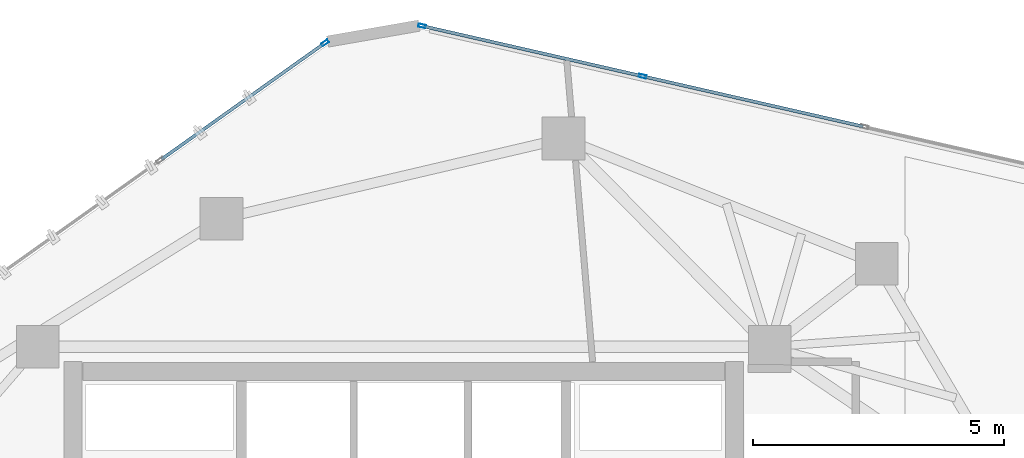
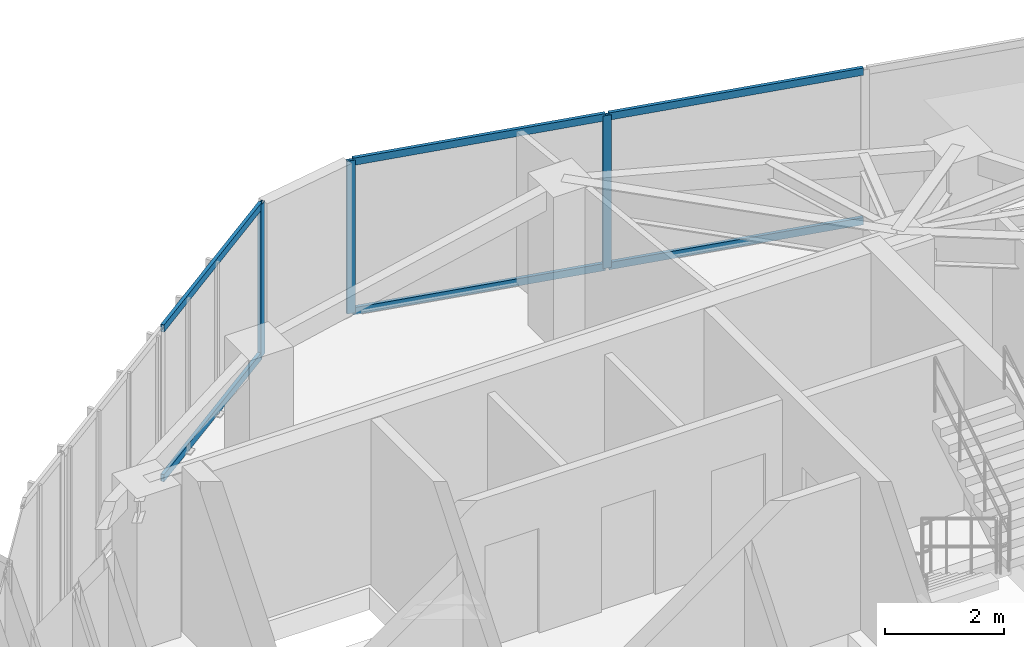
# One storey, part 14 of 19: 9 members, 2 elements without a shape of their own.
"""IFC4 building model written with IfcOpenShell, lengths in metres."""

from ifc_helpers import new_model, si_unit, direction, frame, origin, origin_2d, place, context, subcontext, project, spatial, hollow_rectangle, extrude, source, transform, mapped, material, layer, layer_set, material_profile, profile_set, type_object, type_shapes, element, aggregate, save


model = new_model("IFC4")

# Units and contexts
model_context = context("Model", 3, precision=1e-05, world=origin(), true_north=direction((0.0, 1.0)))
body_context = subcontext(model_context, "Body", "Model", "MODEL_VIEW")
ifc_project = project(units=[si_unit("LENGTHUNIT", "METRE"), si_unit("AREAUNIT", "SQUARE_METRE"), si_unit("VOLUMEUNIT", "CUBIC_METRE"), si_unit("PLANEANGLEUNIT", "RADIAN"), si_unit("MASSUNIT", "GRAM", prefix="KILO")], contexts=[model_context])

# Site, building, storey
site_placement = place(None, origin())
site = spatial("IfcSite", under=ifc_project, at=site_placement, CompositionType="ELEMENT")
building_placement = place(site_placement, origin())
building = spatial("IfcBuilding", under=site, at=building_placement, Name="Talar Marvaseh", CompositionType="ELEMENT")
storey_placement = place(building_placement, frame((0.0, 0.0, 240.800048828125)))
storey = spatial("IfcBuildingStorey", under=building, at=storey_placement, Name="L63", CompositionType="ELEMENT", Elevation=240.800048828125)

# Curtain wall, member
ifc_material = material(Name="Architectural Aluminium", Category="aluminium")
ifc_layer = layer(ifc_material, 0.179931640625)
ifc_layer_set = layer_set([ifc_layer], Name="Architectural Aluminium")
curtain_wall_type = type_object("IfcCurtainWallType", Name="Unitised High-Wind Sky Curtain Wall Z4", PredefinedType="NOTDEFINED", material=ifc_layer_set)
curtain_wall_1_placement = place(storey_placement, origin())
curtain_wall_1 = element("IfcCurtainWall", 1, at=curtain_wall_1_placement, inside=storey, type_object=curtain_wall_type, Name="L63 Unitised High-Wind Sky Curtain Wall Z4", PredefinedType="NOTDEFINED")
ifc_material_profile_1 = material_profile(ifc_material, hollow_rectangle(XDim=0.06494140625, YDim=0.14990234375, WallThickness=0.00390625, at=origin_2d()), Name="RHS150x65x4")
ifc_profile_set_1 = profile_set([ifc_material_profile_1], Name="Architectural Aluminium")
member_type_1 = type_object("IfcMemberType", Name="Unitised Curtain Wall Slim Mullion RHS150x65x4", PredefinedType="MULLION", material=ifc_profile_set_1)
shared_shape_1 = source(origin(), body_context, "Body", "SweptSolid", [
    extrude(hollow_rectangle(XDim=0.06494140625, YDim=0.14990234375, WallThickness=0.00390625, at=origin_2d()), origin(), (0.0, 0.0, 1.0), 3.139892578125),
])
type_shapes(member_type_1, [shared_shape_1])
member_1_placement = place(storey_placement, frame((24.43115234375, 42.958251953125, 0.0), z_axis=(0.0, 0.0, 1.0), x_axis=(-0.57974226077, 0.814799920887, 0.0)))
member_1 = element("IfcMember", 2, at=member_1_placement, type_object=member_type_1, Name="CW-Z4 mullion 4", PredefinedType="MULLION", context=body_context, shape_type="MappedRepresentation", body=[
    mapped(shared_shape_1, transform((0.0, 0.0, 0.0), x_axis=(1.0, 0.0, 0.0), y_axis=(0.0, 1.0, 0.0), z_axis=(0.0, 0.0, 1.0), scale=1.0)),
])

# Curtain wall, members
curtain_wall_2_placement = place(storey_placement, origin())
curtain_wall_2 = element("IfcCurtainWall", 3, at=curtain_wall_2_placement, inside=storey, type_object=curtain_wall_type, Name="L63 Unitised High-Wind Sky Curtain Wall Z4", PredefinedType="NOTDEFINED")
member_2_placement = place(storey_placement, frame((26.366455078125, 43.2978515625, 0.0), z_axis=(0.0, 0.0, 1.0), x_axis=(0.2223358751, 0.97497013218, 0.0)))
member_2 = element("IfcMember", 4, at=member_2_placement, type_object=member_type_1, Name="CW-Z4 mullion 1", PredefinedType="MULLION", context=body_context, shape_type="MappedRepresentation", body=[
    mapped(shared_shape_1, transform((0.0, 0.0, 0.0), x_axis=(1.0, 0.0, 0.0), y_axis=(0.0, 1.0, 0.0), z_axis=(0.0, 0.0, 1.0), scale=1.0)),
])
member_3_placement = place(storey_placement, frame((30.765869140625, 42.29443359375, 0.0), z_axis=(0.0, 0.0, 1.0), x_axis=(0.2223358751, 0.97497013218, 0.0)))
member_3 = element("IfcMember", 5, at=member_3_placement, type_object=member_type_1, Name="CW-Z4 mullion 2", PredefinedType="MULLION", context=body_context, shape_type="MappedRepresentation", body=[
    mapped(shared_shape_1, transform((0.0, 0.0, 0.0), x_axis=(1.0, 0.0, 0.0), y_axis=(0.0, 1.0, 0.0), z_axis=(0.0, 0.0, 1.0), scale=1.0)),
])
ifc_material_profile_2 = material_profile(ifc_material, hollow_rectangle(XDim=0.06494140625, YDim=0.14990234375, WallThickness=0.00390625, at=origin_2d()), Name="RHS150x65x4")
ifc_profile_set_2 = profile_set([ifc_material_profile_2], Name="Architectural Aluminium")
member_type_2 = type_object("IfcMemberType", Name="Unitised Curtain Wall Slim Transom RHS150x65x4", PredefinedType="USERDEFINED", material=ifc_profile_set_2)
shared_shape_2 = source(origin(), body_context, "Body", "SweptSolid", [
    extrude(hollow_rectangle(XDim=0.06494140625, YDim=0.14990234375, WallThickness=0.00390625, at=origin_2d()), origin(), (0.0, 0.0, 1.0), 4.447509765625),
])
member_4_placement = place(storey_placement, frame((26.398193359375, 43.29052734375, 0.032470703125), z_axis=(0.974973530433, -0.22232097282, 0.0), x_axis=(0.22232097282, 0.974973530433, 0.0)))
member_4 = element("IfcMember", 6, at=member_4_placement, type_object=member_type_2, Name="CW-Z4 transom 1.1", ObjectType="TRANSOM", PredefinedType="USERDEFINED", context=body_context, shape_type="MappedRepresentation", body=[
    mapped(shared_shape_2, transform((0.0, 0.0, 0.0), x_axis=(1.0, 0.0, 0.0), y_axis=(0.0, 1.0, 0.0), z_axis=(0.0, 0.0, 1.0), scale=1.0)),
])
member_5_placement = place(storey_placement, frame((26.398193359375, 43.29052734375, 3.107421875), z_axis=(0.974973530433, -0.22232097282, 0.0), x_axis=(0.22232097282, 0.974973530433, 0.0)))
member_5 = element("IfcMember", 7, at=member_5_placement, type_object=member_type_2, Name="CW-Z4 transom 1.2", ObjectType="TRANSOM", PredefinedType="USERDEFINED", context=body_context, shape_type="MappedRepresentation", body=[
    mapped(shared_shape_2, transform((0.0, 0.0, 0.0), x_axis=(1.0, 0.0, 0.0), y_axis=(0.0, 1.0, 0.0), z_axis=(0.0, 0.0, 1.0), scale=1.0)),
])

# Member
shared_shape_3 = source(origin(), body_context, "Body", "SweptSolid", [
    extrude(hollow_rectangle(XDim=0.06494140625, YDim=0.14990234375, WallThickness=0.00390625, at=origin_2d()), origin(), (0.0, 0.0, 1.0), 3.97119140625),
])
member_6_placement = place(storey_placement, frame((21.1689453125, 40.63720703125, 0.032470703125), z_axis=(0.814812062414, 0.579725196059, 0.0), x_axis=(-0.579725196059, 0.814812062414, 0.0)))
member_6 = element("IfcMember", 8, at=member_6_placement, type_object=member_type_2, Name="CW-Z4 transom 3.1", ObjectType="TRANSOM", PredefinedType="USERDEFINED", context=body_context, shape_type="MappedRepresentation", body=[
    mapped(shared_shape_3, transform((0.0, 0.0, 0.0), x_axis=(1.0, 0.0, 0.0), y_axis=(0.0, 1.0, 0.0), z_axis=(0.0, 0.0, 1.0), scale=1.0)),
])

member_7_placement = place(storey_placement, frame((21.1689453125, 40.63720703125, 3.107421875), z_axis=(0.814812062414, 0.579725196059, 0.0), x_axis=(-0.579725196059, 0.814812062414, 0.0)))
member_7 = element("IfcMember", 9, at=member_7_placement, type_object=member_type_2, Name="CW-Z4 transom 3.2", ObjectType="TRANSOM", PredefinedType="USERDEFINED", context=body_context, shape_type="MappedRepresentation", body=[
    mapped(shared_shape_3, transform((0.0, 0.0, 0.0), x_axis=(1.0, 0.0, 0.0), y_axis=(0.0, 1.0, 0.0), z_axis=(0.0, 0.0, 1.0), scale=1.0)),
])

aggregate(curtain_wall_1, [member_1, member_6, member_7])

shared_shape_4 = source(origin(), body_context, "Body", "SweptSolid", [
    extrude(hollow_rectangle(XDim=0.06494140625, YDim=0.14990234375, WallThickness=0.00390625, at=origin_2d()), origin(), (0.0, 0.0, 1.0), 4.47998046875),
])
type_shapes(member_type_2, [shared_shape_2, shared_shape_3, shared_shape_4])
member_8_placement = place(storey_placement, frame((30.797607421875, 42.287353515625, 0.032470703125), z_axis=(0.974969320415, -0.22233943476, 0.0), x_axis=(0.22233943476, 0.974969320415, 0.0)))
member_8 = element("IfcMember", 10, at=member_8_placement, type_object=member_type_2, Name="CW-Z4 transom 2.1", ObjectType="TRANSOM", PredefinedType="USERDEFINED", context=body_context, shape_type="MappedRepresentation", body=[
    mapped(shared_shape_4, transform((0.0, 0.0, 0.0), x_axis=(1.0, 0.0, 0.0), y_axis=(0.0, 1.0, 0.0), z_axis=(0.0, 0.0, 1.0), scale=1.0)),
])

member_9_placement = place(storey_placement, frame((30.797607421875, 42.287353515625, 3.107421875), z_axis=(0.974969320415, -0.22233943476, 0.0), x_axis=(0.22233943476, 0.974969320415, 0.0)))
member_9 = element("IfcMember", 11, at=member_9_placement, type_object=member_type_2, Name="CW-Z4 transom 2.2", ObjectType="TRANSOM", PredefinedType="USERDEFINED", context=body_context, shape_type="MappedRepresentation", body=[
    mapped(shared_shape_4, transform((0.0, 0.0, 0.0), x_axis=(1.0, 0.0, 0.0), y_axis=(0.0, 1.0, 0.0), z_axis=(0.0, 0.0, 1.0), scale=1.0)),
])

aggregate(curtain_wall_2, [member_2, member_3, member_4, member_5, member_8, member_9])

save(model, "model.ifc")
